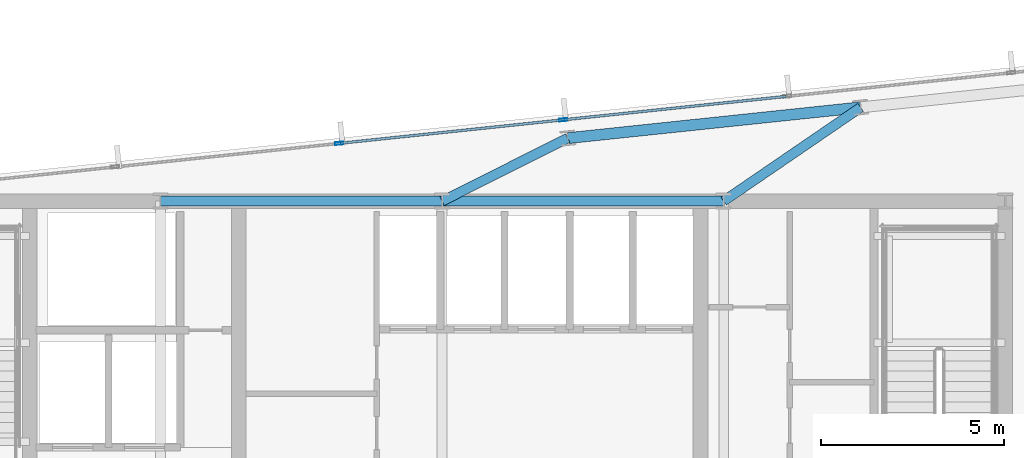
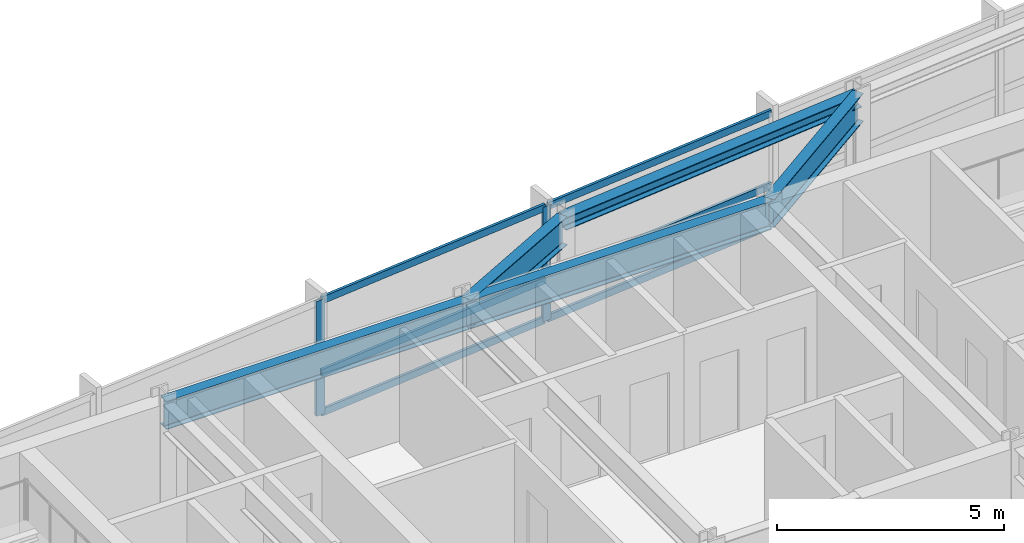
# One storey, part 16 of 26: 8 members, 5 beams, 1 element without a shape of its own.
"""IFC4 building model written with IfcOpenShell, lengths in metres."""

from ifc_helpers import new_model, si_unit, direction, frame, origin, origin_2d, place, context, subcontext, project, spatial, hollow_rectangle, i_section, extrude, material, material_profile, profile_set, type_object, element, aggregate, save


model = new_model("IFC4")

# Units and contexts
model_context = context("Model", 3, precision=1e-05, world=origin(), true_north=direction((0.0, 1.0)))
body_context = subcontext(model_context, "Body", "Model", "MODEL_VIEW")
ifc_project = project(units=[si_unit("LENGTHUNIT", "METRE"), si_unit("AREAUNIT", "SQUARE_METRE"), si_unit("VOLUMEUNIT", "CUBIC_METRE"), si_unit("PLANEANGLEUNIT", "RADIAN"), si_unit("MASSUNIT", "GRAM", prefix="KILO")], contexts=[model_context])

# Site, building, storey
site_placement = place(None, origin())
site = spatial("IfcSite", under=ifc_project, at=site_placement, CompositionType="ELEMENT")
building_placement = place(site_placement, origin())
building = spatial("IfcBuilding", under=site, at=building_placement, Name="Yelkora Congress Tower", CompositionType="ELEMENT")
storey_placement = place(building_placement, frame((0.0, 0.0, 204.5)))
storey = spatial("IfcBuildingStorey", under=building, at=storey_placement, Name="L56", CompositionType="ELEMENT", Elevation=204.5)

# Beams
ifc_material_1 = material(Name="Steel S355J2", Category="steel")
ifc_material_profile_1 = material_profile(ifc_material_1, i_section(OverallWidth=0.26708984375, OverallDepth=0.761962890625, WebThickness=0.014404296875, FlangeThickness=0.021484375, FilletRadius=0.01708984375, at=origin_2d()), Name="IPE 750x173")
ifc_profile_set_1 = profile_set([ifc_material_profile_1], Name="Steel S355J2")
beam_type_1 = type_object("IfcBeamType", Name="BM-GIRD-IPE750", PredefinedType="BEAM", material=ifc_profile_set_1)
beam_1_placement = place(storey_placement, frame((30.719970703125, 46.199951171875, 2.698974609375), z_axis=(1.0, 0.0, 0.0), x_axis=(0.0, 1.0, 0.0)))
element("IfcBeam", 1, at=beam_1_placement, inside=storey, type_object=beam_type_1, Name="L56 Core North Girder 3", PredefinedType="BEAM", context=body_context, shape_type="SweptSolid", body=[
    extrude(i_section(OverallWidth=0.26708984375, OverallDepth=0.761962890625, WebThickness=0.014404296875, FlangeThickness=0.021484375, FilletRadius=0.01708984375, at=origin_2d()), origin(), (0.0, 0.0, 1.0), 7.679931640625),
])
beam_2_placement = place(storey_placement, frame((38.39990234375, 46.199951171875, 2.698974609375), z_axis=(1.0, 0.0, 0.0), x_axis=(0.0, 1.0, 0.0)))
element("IfcBeam", 2, at=beam_2_placement, inside=storey, type_object=beam_type_1, Name="L56 Core North Girder 4", PredefinedType="BEAM", context=body_context, shape_type="SweptSolid", body=[
    extrude(i_section(OverallWidth=0.26708984375, OverallDepth=0.761962890625, WebThickness=0.014404296875, FlangeThickness=0.021484375, FilletRadius=0.01708984375, at=origin_2d()), origin(), (0.0, 0.0, 1.0), 7.68017578125),
])
beam_3_placement = place(storey_placement, frame((41.828125, 47.91748046875, 2.698974609375), z_axis=(-0.894070348256, -0.447926570288, 0.0), x_axis=(0.447926570288, -0.894070348256, 0.0)))
element("IfcBeam", 3, at=beam_3_placement, inside=storey, type_object=beam_type_1, Name="L56 Primary Frame Girder N04", PredefinedType="BEAM", context=body_context, shape_type="SweptSolid", body=[
    extrude(i_section(OverallWidth=0.26708984375, OverallDepth=0.761962890625, WebThickness=0.014404296875, FlangeThickness=0.021484375, FilletRadius=0.01708984375, at=origin_2d()), origin(), (0.0, 0.0, 1.0), 3.83447265625),
])
beam_4_placement = place(storey_placement, frame((49.8173828125, 48.757080078125, 2.698974609375), z_axis=(-0.825304616438, -0.564687781067, 0.0), x_axis=(0.564687781067, -0.825304616438, 0.0)))
element("IfcBeam", 4, at=beam_4_placement, inside=storey, type_object=beam_type_1, Name="L56 Primary Frame Girder N05", PredefinedType="BEAM", context=body_context, shape_type="SweptSolid", body=[
    extrude(i_section(OverallWidth=0.26708984375, OverallDepth=0.761962890625, WebThickness=0.014404296875, FlangeThickness=0.021484375, FilletRadius=0.01708984375, at=origin_2d()), origin(), (0.0, 0.0, 1.0), 4.5283203125),
])
ifc_material_profile_2 = material_profile(ifc_material_1, i_section(OverallWidth=0.300048828125, OverallDepth=0.340087890625, WebThickness=0.011962890625, FlangeThickness=0.021484375, FilletRadius=0.027099609375, at=origin_2d()), Name="HEB 340")
ifc_profile_set_2 = profile_set([ifc_material_profile_2], Name="Steel S355J2")
beam_type_2 = type_object("IfcBeamType", Name="BM-SPAN-HEB340", PredefinedType="SPANDREL", material=ifc_profile_set_2)
beam_5_placement = place(storey_placement, frame((49.8173828125, 48.757080078125, 2.909912109375), z_axis=(-0.994523256947, -0.104515507904, 0.0), x_axis=(0.104515507904, -0.994523256947, 0.0)))
element("IfcBeam", 5, at=beam_5_placement, inside=storey, type_object=beam_type_2, Name="L56 Perimeter Beam 15", PredefinedType="SPANDREL", context=body_context, shape_type="SweptSolid", body=[
    extrude(i_section(OverallWidth=0.300048828125, OverallDepth=0.340087890625, WebThickness=0.011962890625, FlangeThickness=0.021484375, FilletRadius=0.027099609375, at=origin_2d()), origin(), (0.0, 0.0, 1.0), 8.033203125),
])

# Curtain wall, members
ifc_material_2 = material(Name="Anodised aluminium and insulated glass", Category="aluminium")
curtain_wall_type = type_object("IfcCurtainWallType", Name="CW-SYS-SKY", PredefinedType="NOTDEFINED", material=ifc_material_2)
curtain_wall_placement = place(storey_placement, origin())
curtain_wall = element("IfcCurtainWall", 6, at=curtain_wall_placement, inside=storey, type_object=curtain_wall_type, Name="L56 Unitised Curtain Wall 10 (3)", PredefinedType="NOTDEFINED")
ifc_material_3 = material(Name="Anodised aluminium 6063-T6", Category="aluminium")
ifc_material_profile_3 = material_profile(ifc_material_3, hollow_rectangle(XDim=0.074951171875, YDim=0.219970703125, WallThickness=0.0048828125, at=origin_2d()), Name="ALU 75x220x5")
ifc_profile_set_3 = profile_set([ifc_material_profile_3], Name="Anodised aluminium 6063-T6")
member_type_1 = type_object("IfcMemberType", Name="MEM-ML-SKY", PredefinedType="MULLION", material=ifc_profile_set_3)
member_1_placement = place(storey_placement, frame((35.59228515625, 47.77490234375, 0.0), z_axis=(0.0, 0.0, 1.0), x_axis=(-0.104528076052, 0.994521936066, 0.0)))
member_1 = element("IfcMember", 7, at=member_1_placement, type_object=member_type_1, Name="CW-SKY mullion 3", PredefinedType="MULLION", context=body_context, shape_type="SweptSolid", body=[
    extrude(hollow_rectangle(XDim=0.074951171875, YDim=0.219970703125, WallThickness=0.0048828125, at=origin_2d()), origin(), (0.0, 0.0, 1.0), 3.080078125),
])
member_2_placement = place(storey_placement, frame((41.703857421875, 48.417236328125, 0.0), z_axis=(0.0, 0.0, 1.0), x_axis=(-0.104528076052, 0.994521936066, 0.0)))
member_2 = element("IfcMember", 8, at=member_2_placement, type_object=member_type_1, Name="CW-SKY mullion 4", PredefinedType="MULLION", context=body_context, shape_type="SweptSolid", body=[
    extrude(hollow_rectangle(XDim=0.074951171875, YDim=0.219970703125, WallThickness=0.0048828125, at=origin_2d()), origin(), (0.0, 0.0, 1.0), 3.080078125),
])
ifc_material_profile_4 = material_profile(ifc_material_3, hollow_rectangle(XDim=0.070068359375, YDim=0.18994140625, WallThickness=0.00390625, at=origin_2d()), Name="ALU 70x190x4")
ifc_profile_set_4 = profile_set([ifc_material_profile_4], Name="Anodised aluminium 6063-T6")
member_type_2 = type_object("IfcMemberType", Name="MEM-TR-SKY", PredefinedType="USERDEFINED", material=ifc_profile_set_4)
member_3_placement = place(storey_placement, frame((35.629638671875, 47.77880859375, 0.034912109375), z_axis=(0.994521968659, 0.104527765955, 0.0), x_axis=(-0.104527765955, 0.994521968659, 0.0)))
member_3 = element("IfcMember", 9, at=member_3_placement, type_object=member_type_2, Name="CW-SKY transom 3.1", ObjectType="TRANSOM", PredefinedType="USERDEFINED", context=body_context, shape_type="SweptSolid", body=[
    extrude(hollow_rectangle(XDim=0.070068359375, YDim=0.18994140625, WallThickness=0.00390625, at=origin_2d()), origin(), (0.0, 0.0, 1.0), 6.0703125),
])
member_4_placement = place(storey_placement, frame((35.629638671875, 47.77880859375, 1.10009765625), z_axis=(0.994521968659, 0.104527765955, 0.0), x_axis=(-0.104527765955, 0.994521968659, 0.0)))
member_4 = element("IfcMember", 10, at=member_4_placement, type_object=member_type_2, Name="CW-SKY transom 3.2", ObjectType="TRANSOM", PredefinedType="USERDEFINED", context=body_context, shape_type="SweptSolid", body=[
    extrude(hollow_rectangle(XDim=0.070068359375, YDim=0.18994140625, WallThickness=0.00390625, at=origin_2d()), origin(), (0.0, 0.0, 1.0), 6.0703125),
])
member_5_placement = place(storey_placement, frame((35.629638671875, 47.77880859375, 3.044921875), z_axis=(0.994521968659, 0.104527765955, 0.0), x_axis=(-0.104527765955, 0.994521968659, 0.0)))
member_5 = element("IfcMember", 11, at=member_5_placement, type_object=member_type_2, Name="CW-SKY transom 3.3", ObjectType="TRANSOM", PredefinedType="USERDEFINED", context=body_context, shape_type="SweptSolid", body=[
    extrude(hollow_rectangle(XDim=0.070068359375, YDim=0.18994140625, WallThickness=0.00390625, at=origin_2d()), origin(), (0.0, 0.0, 1.0), 6.0703125),
])
member_6_placement = place(storey_placement, frame((41.7412109375, 48.421142578125, 0.034912109375), z_axis=(0.994521968659, 0.104527765955, 0.0), x_axis=(-0.104527765955, 0.994521968659, 0.0)))
member_6 = element("IfcMember", 12, at=member_6_placement, type_object=member_type_2, Name="CW-SKY transom 4.1", ObjectType="TRANSOM", PredefinedType="USERDEFINED", context=body_context, shape_type="SweptSolid", body=[
    extrude(hollow_rectangle(XDim=0.070068359375, YDim=0.18994140625, WallThickness=0.00390625, at=origin_2d()), origin(), (0.0, 0.0, 1.0), 6.0703125),
])
member_7_placement = place(storey_placement, frame((41.7412109375, 48.421142578125, 1.10009765625), z_axis=(0.994521968659, 0.104527765955, 0.0), x_axis=(-0.104527765955, 0.994521968659, 0.0)))
member_7 = element("IfcMember", 13, at=member_7_placement, type_object=member_type_2, Name="CW-SKY transom 4.2", ObjectType="TRANSOM", PredefinedType="USERDEFINED", context=body_context, shape_type="SweptSolid", body=[
    extrude(hollow_rectangle(XDim=0.070068359375, YDim=0.18994140625, WallThickness=0.00390625, at=origin_2d()), origin(), (0.0, 0.0, 1.0), 6.0703125),
])
member_8_placement = place(storey_placement, frame((41.7412109375, 48.421142578125, 3.044921875), z_axis=(0.994521968659, 0.104527765955, 0.0), x_axis=(-0.104527765955, 0.994521968659, 0.0)))
member_8 = element("IfcMember", 14, at=member_8_placement, type_object=member_type_2, Name="CW-SKY transom 4.3", ObjectType="TRANSOM", PredefinedType="USERDEFINED", context=body_context, shape_type="SweptSolid", body=[
    extrude(hollow_rectangle(XDim=0.070068359375, YDim=0.18994140625, WallThickness=0.00390625, at=origin_2d()), origin(), (0.0, 0.0, 1.0), 6.0703125),
])
aggregate(curtain_wall, [member_1, member_2, member_3, member_4, member_5, member_6, member_7, member_8])

save(model, "model.ifc")
